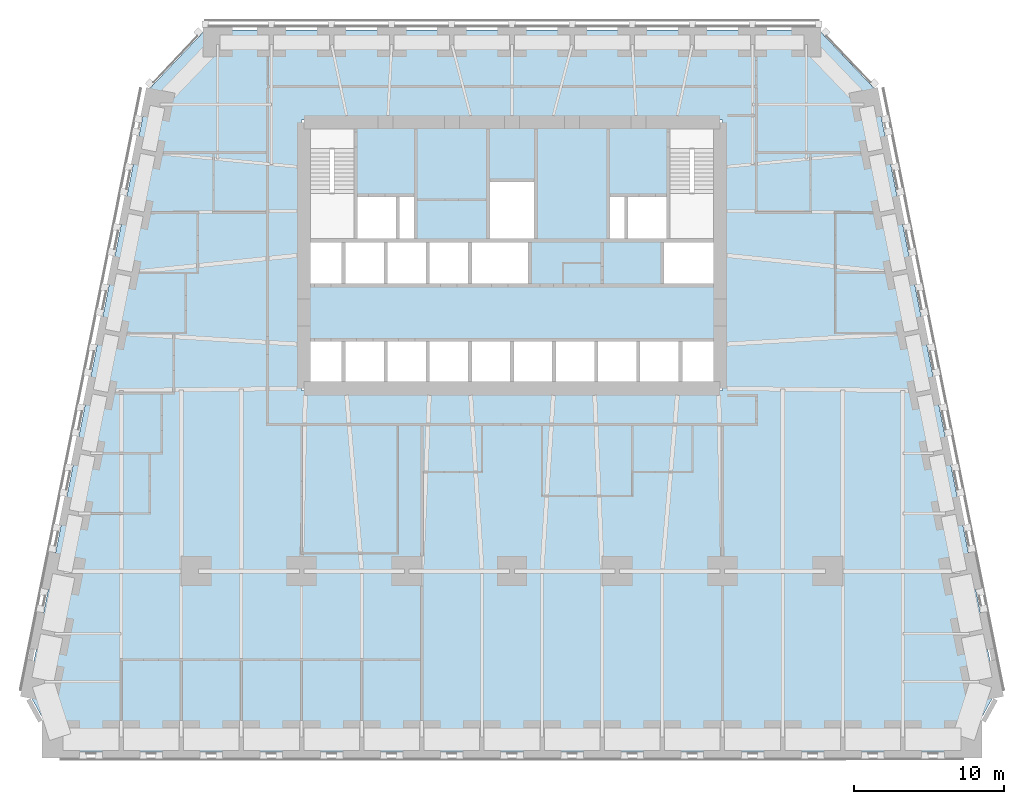
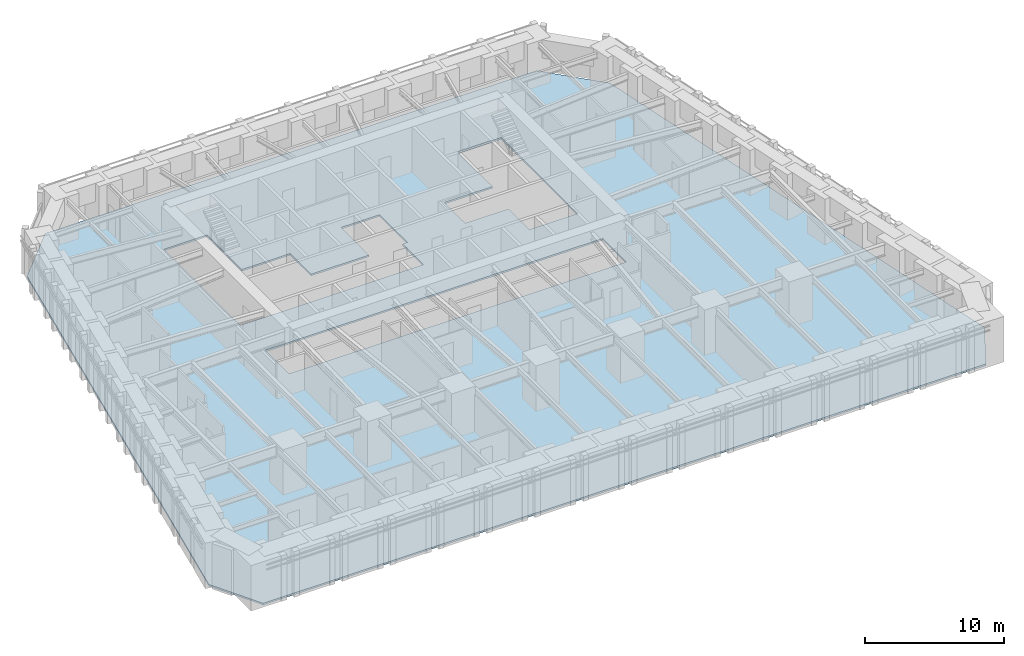
# One storey, part 7 of 16: 1 slab.
"""IFC4 building model written with IfcOpenShell, lengths in metres."""

from ifc_helpers import new_model, si_unit, direction, frame, origin, place, context, subcontext, project, spatial, polyline, outline, extrude, material, layer, layer_set, type_object, element, save


model = new_model("IFC4")

# Units and contexts
model_context = context("Model", 3, precision=1e-05, world=origin(), true_north=direction((0.0, 1.0)))
body_context = subcontext(model_context, "Body", "Model", "MODEL_VIEW")
ifc_project = project(units=[si_unit("LENGTHUNIT", "METRE"), si_unit("AREAUNIT", "SQUARE_METRE"), si_unit("VOLUMEUNIT", "CUBIC_METRE"), si_unit("PLANEANGLEUNIT", "RADIAN"), si_unit("MASSUNIT", "GRAM", prefix="KILO")], contexts=[model_context])

# Site, building, storey
site_placement = place(None, origin())
site = spatial("IfcSite", under=ifc_project, at=site_placement, CompositionType="ELEMENT")
building_placement = place(site_placement, origin())
building = spatial("IfcBuilding", under=site, at=building_placement, Name="Isbrekke Arena Tower", CompositionType="ELEMENT")
storey_placement = place(building_placement, frame((0.0, 0.0, 52.0)))
storey = spatial("IfcBuildingStorey", under=building, at=storey_placement, Name="L10", CompositionType="ELEMENT", Elevation=52.0)

# Slab
ifc_material = material(Name="Concrete B35 (C35/45)", Category="concrete")
ifc_layer = layer(ifc_material, 0.14990234375)
ifc_layer_set = layer_set([ifc_layer], Name="FS1 COMPOSITE FLOOR 150")
slab_type = type_object("IfcSlabType", Name="FS1 COMPOSITE FLOOR 150", PredefinedType="FLOOR", material=ifc_layer_set)
slab_placement = place(storey_placement, frame((0.0, 0.0, -0.14990234375)))
element("IfcSlab", 1, at=slab_placement, inside=storey, type_object=slab_type, Name="FS1 floor slab L10", PredefinedType="FLOOR", context=body_context, shape_type="SweptSolid", body=[
    extrude(outline(polyline([(-30.0, -18.0), (30.0, -18.0), (32.199951171875, -14.0), (24.199951171875, 26.0), (20.39990234375, 30.0), (-20.39990234375, 30.0), (-24.199951171875, 26.0), (-32.199951171875, -14.0), (-30.0, -18.0)]), holes=[polyline([(14.0, 9.39990234375), (14.0, 6.0), (-14.0, 6.0), (-14.0, 9.39990234375), (14.0, 9.39990234375)]), polyline([(-6.39990234375, 19.0), (-6.39990234375, 16.0), (-1.60009765625, 16.0), (-1.60009765625, 20.0), (1.60009765625, 20.0), (1.60009765625, 16.0), (1.199951171875, 16.0), (1.199951171875, 13.0), (-14.0, 13.0), (-14.0, 24.0), (-10.39990234375, 24.0), (-10.39990234375, 19.0), (-6.39990234375, 19.0)]), polyline([(10.0, 13.0), (10.0, 16.0), (6.39990234375, 16.0), (6.39990234375, 19.0), (10.39990234375, 19.0), (10.39990234375, 24.0), (14.0, 24.0), (14.0, 13.0), (10.0, 13.0)])]), origin(), (0.0, 0.0, 1.0), 0.14990234375),
])

save(model, "model.ifc")
